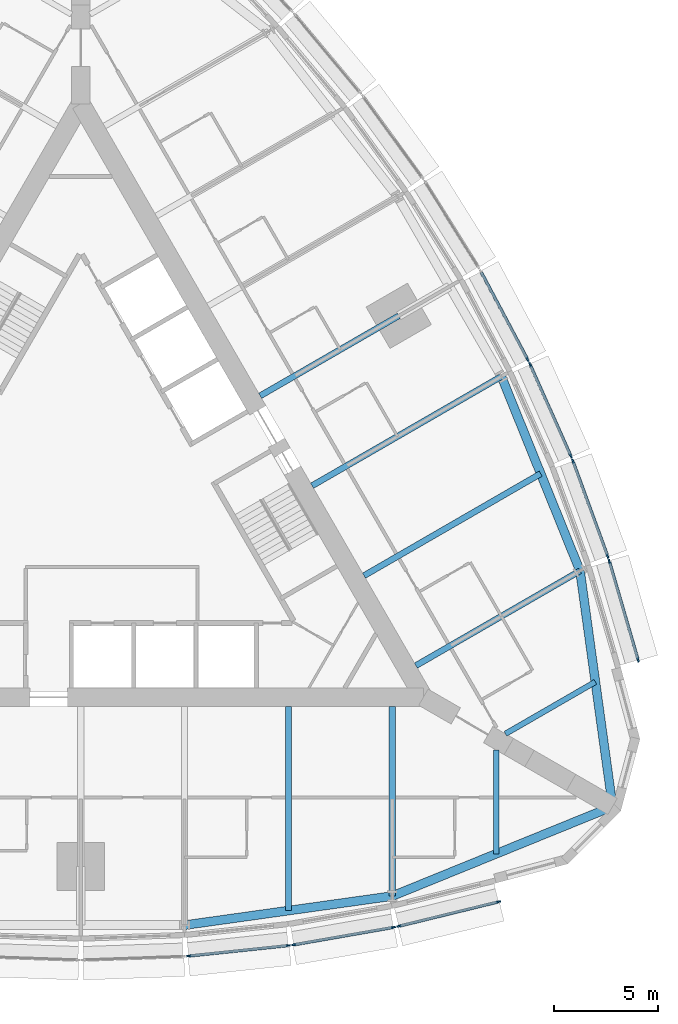
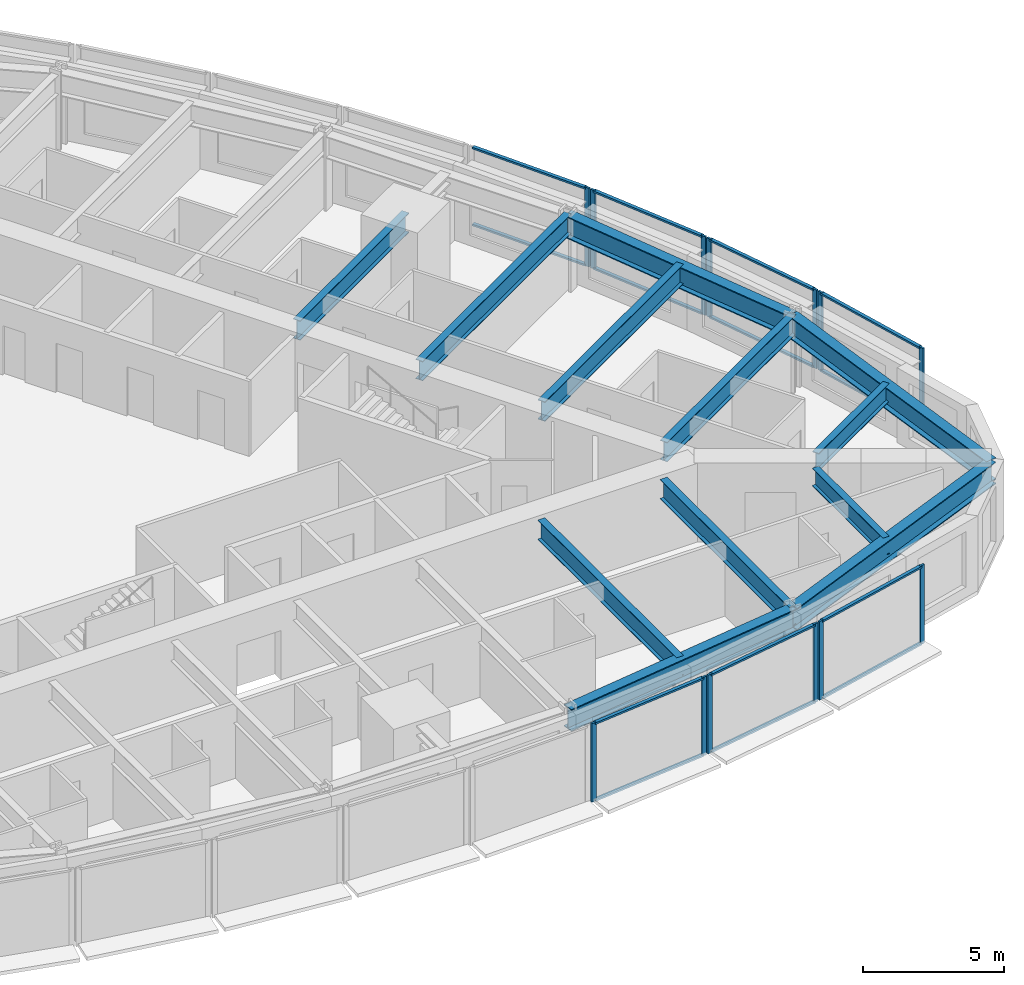
# One storey, part 3 of 14: 27 members, 12 beams, 7 elements without a shape of their own.
"""IFC4 building model written with IfcOpenShell, lengths in metres."""

from ifc_helpers import new_model, si_unit, direction, frame, origin, origin_2d, place, context, subcontext, project, spatial, rectangle, i_section, extrude, material, material_profile, profile_set, type_object, element, aggregate, save


model = new_model("IFC4")

# Units and contexts
model_context = context("Model", 3, precision=1e-05, world=origin(), true_north=direction((0.0, 1.0)))
body_context = subcontext(model_context, "Body", "Model", "MODEL_VIEW")
ifc_project = project(units=[si_unit("LENGTHUNIT", "METRE"), si_unit("AREAUNIT", "SQUARE_METRE"), si_unit("VOLUMEUNIT", "CUBIC_METRE"), si_unit("PLANEANGLEUNIT", "RADIAN"), si_unit("MASSUNIT", "GRAM", prefix="KILO")], contexts=[model_context])

# Site, building, storey
site_placement = place(None, origin())
site = spatial("IfcSite", under=ifc_project, at=site_placement, CompositionType="ELEMENT")
building_placement = place(site_placement, origin())
building = spatial("IfcBuilding", under=site, at=building_placement, Name="Trikona Tower", CompositionType="ELEMENT")
storey_placement = place(building_placement, frame((0.0, 0.0, 114.699951171875)))
storey = spatial("IfcBuildingStorey", under=building, at=storey_placement, Name="L29", CompositionType="ELEMENT", Elevation=114.699951171875)

# Curtain wall, members
ifc_material_1 = material(Name="Aluminium curtain wall system", Category="aluminium")
curtain_wall_type = type_object("IfcCurtainWallType", Name="Curtain wall DS2", PredefinedType="NOTDEFINED", material=ifc_material_1)
curtain_wall_1_placement = place(storey_placement, origin())
curtain_wall_1 = element("IfcCurtainWall", 1, at=curtain_wall_1_placement, inside=storey, type_object=curtain_wall_type, Name="Curtain wall DS2 L29", PredefinedType="NOTDEFINED")
ifc_material_2 = material(Name="Aluminium mullion, pale anodised", Category="aluminium")
ifc_material_profile_1 = material_profile(ifc_material_2, rectangle(XDim=0.080078125, YDim=0.199951171875, at=origin_2d()), Name="MUL-DS2")
ifc_profile_set_1 = profile_set([ifc_material_profile_1], Name="Aluminium mullion, pale anodised")
member_type_1 = type_object("IfcMemberType", Name="Mullion DS2 80x200", PredefinedType="MULLION", material=ifc_profile_set_1)
member_1_placement = place(storey_placement, frame((5.193359375, -21.98486328125, 0.0), z_axis=(0.0, 0.0, 1.0), x_axis=(-0.104433387357, 0.994531883654, 0.0)))
member_1 = element("IfcMember", 2, at=member_1_placement, type_object=member_type_1, Name="CW-DS2 mullion 1", PredefinedType="MULLION", context=body_context, shape_type="SweptSolid", body=[
    extrude(rectangle(XDim=0.080078125, YDim=0.199951171875, at=origin_2d()), origin(), (0.0, 0.0, 1.0), 3.400146484375),
])
member_2_placement = place(storey_placement, frame((9.99462890625, -21.480712890625, 0.0), z_axis=(0.0, 0.0, 1.0), x_axis=(-0.104433387357, 0.994531883654, 0.0)))
member_2 = element("IfcMember", 3, at=member_2_placement, type_object=member_type_1, Name="CW-DS2 mullion 2", PredefinedType="MULLION", context=body_context, shape_type="SweptSolid", body=[
    extrude(rectangle(XDim=0.080078125, YDim=0.199951171875, at=origin_2d()), origin(), (0.0, 0.0, 1.0), 3.400146484375),
])

curtain_wall_2_placement = place(storey_placement, origin())
curtain_wall_2 = element("IfcCurtainWall", 4, at=curtain_wall_2_placement, inside=storey, type_object=curtain_wall_type, Name="Curtain wall DS2 L29", PredefinedType="NOTDEFINED")
member_3_placement = place(storey_placement, frame((10.253662109375, -21.444580078125, 0.0), z_axis=(0.0, 0.0, 1.0), x_axis=(-0.17237739505, 0.985030981074, 0.0)))
member_3 = element("IfcMember", 5, at=member_3_placement, type_object=member_type_1, Name="CW-DS2 mullion 1", PredefinedType="MULLION", context=body_context, shape_type="SweptSolid", body=[
    extrude(rectangle(XDim=0.080078125, YDim=0.199951171875, at=origin_2d()), origin(), (0.0, 0.0, 1.0), 3.400146484375),
])
member_4_placement = place(storey_placement, frame((15.056640625, -20.60400390625, 0.0), z_axis=(0.0, 0.0, 1.0), x_axis=(-0.17237739505, 0.985030981074, 0.0)))
member_4 = element("IfcMember", 6, at=member_4_placement, type_object=member_type_1, Name="CW-DS2 mullion 2", PredefinedType="MULLION", context=body_context, shape_type="SweptSolid", body=[
    extrude(rectangle(XDim=0.080078125, YDim=0.199951171875, at=origin_2d()), origin(), (0.0, 0.0, 1.0), 3.400146484375),
])

curtain_wall_3_placement = place(storey_placement, origin())
curtain_wall_3 = element("IfcCurtainWall", 7, at=curtain_wall_3_placement, inside=storey, type_object=curtain_wall_type, Name="Curtain wall DS2 L29", PredefinedType="NOTDEFINED")
member_5_placement = place(storey_placement, frame((15.311279296875, -20.550537109375, 0.0), z_axis=(0.0, 0.0, 1.0), x_axis=(-0.237970204243, 0.971272455026, 0.0)))
member_5 = element("IfcMember", 8, at=member_5_placement, type_object=member_type_1, Name="CW-DS2 mullion 1", PredefinedType="MULLION", context=body_context, shape_type="SweptSolid", body=[
    extrude(rectangle(XDim=0.080078125, YDim=0.199951171875, at=origin_2d()), origin(), (0.0, 0.0, 1.0), 3.400146484375),
])
member_6_placement = place(storey_placement, frame((20.116943359375, -19.373046875, 0.0), z_axis=(0.0, 0.0, 1.0), x_axis=(-0.237970204243, 0.971272455026, 0.0)))
member_6 = element("IfcMember", 9, at=member_6_placement, type_object=member_type_1, Name="CW-DS2 mullion 2", PredefinedType="MULLION", context=body_context, shape_type="SweptSolid", body=[
    extrude(rectangle(XDim=0.080078125, YDim=0.199951171875, at=origin_2d()), origin(), (0.0, 0.0, 1.0), 3.400146484375),
])

curtain_wall_4_placement = place(storey_placement, origin())
curtain_wall_4 = element("IfcCurtainWall", 10, at=curtain_wall_4_placement, inside=storey, type_object=curtain_wall_type, Name="Curtain wall DS2 L29", PredefinedType="NOTDEFINED")
member_7_placement = place(storey_placement, frame((26.836181640625, -7.7353515625, 0.0), z_axis=(0.0, 0.0, 1.0), x_axis=(-0.96013310152, -0.279543247757, 0.0)))
member_7 = element("IfcMember", 11, at=member_7_placement, type_object=member_type_1, Name="CW-DS2 mullion 1", PredefinedType="MULLION", context=body_context, shape_type="SweptSolid", body=[
    extrude(rectangle(XDim=0.080078125, YDim=0.199951171875, at=origin_2d()), origin(), (0.0, 0.0, 1.0), 3.400146484375),
])
member_8_placement = place(storey_placement, frame((25.452880859375, -2.984619140625, 0.0), z_axis=(0.0, 0.0, 1.0), x_axis=(-0.96013310152, -0.279543247757, 0.0)))
member_8 = element("IfcMember", 12, at=member_8_placement, type_object=member_type_1, Name="CW-DS2 mullion 2", PredefinedType="MULLION", context=body_context, shape_type="SweptSolid", body=[
    extrude(rectangle(XDim=0.080078125, YDim=0.199951171875, at=origin_2d()), origin(), (0.0, 0.0, 1.0), 3.400146484375),
])

curtain_wall_5_placement = place(storey_placement, origin())
curtain_wall_5 = element("IfcCurtainWall", 13, at=curtain_wall_5_placement, inside=storey, type_object=curtain_wall_type, Name="Curtain wall DS2 L29", PredefinedType="NOTDEFINED")
member_9_placement = place(storey_placement, frame((25.371826171875, -2.737548828125, 0.0), z_axis=(0.0, 0.0, 1.0), x_axis=(-0.939253790978, -0.343223420143, 0.0)))
member_9 = element("IfcMember", 14, at=member_9_placement, type_object=member_type_1, Name="CW-DS2 mullion 1", PredefinedType="MULLION", context=body_context, shape_type="SweptSolid", body=[
    extrude(rectangle(XDim=0.080078125, YDim=0.199951171875, at=origin_2d()), origin(), (0.0, 0.0, 1.0), 3.400146484375),
])
member_10_placement = place(storey_placement, frame((23.6982421875, 1.84228515625, 0.0), z_axis=(0.0, 0.0, 1.0), x_axis=(-0.939253790978, -0.343223420143, 0.0)))
member_10 = element("IfcMember", 15, at=member_10_placement, type_object=member_type_1, Name="CW-DS2 mullion 2", PredefinedType="MULLION", context=body_context, shape_type="SweptSolid", body=[
    extrude(rectangle(XDim=0.080078125, YDim=0.199951171875, at=origin_2d()), origin(), (0.0, 0.0, 1.0), 3.400146484375),
])

curtain_wall_6_placement = place(storey_placement, origin())
curtain_wall_6 = element("IfcCurtainWall", 16, at=curtain_wall_6_placement, inside=storey, type_object=curtain_wall_type, Name="Curtain wall DS2 L29", PredefinedType="NOTDEFINED")
member_11_placement = place(storey_placement, frame((23.60009765625, 2.0849609375, 0.0), z_axis=(0.0, 0.0, 1.0), x_axis=(-0.913501208767, -0.406836013132, 0.0)))
member_11 = element("IfcMember", 17, at=member_11_placement, type_object=member_type_1, Name="CW-DS2 mullion 1", PredefinedType="MULLION", context=body_context, shape_type="SweptSolid", body=[
    extrude(rectangle(XDim=0.080078125, YDim=0.199951171875, at=origin_2d()), origin(), (0.0, 0.0, 1.0), 3.400146484375),
])
member_12_placement = place(storey_placement, frame((21.63623046875, 6.494873046875, 0.0), z_axis=(0.0, 0.0, 1.0), x_axis=(-0.913501208767, -0.406836013132, 0.0)))
member_12 = element("IfcMember", 18, at=member_12_placement, type_object=member_type_1, Name="CW-DS2 mullion 2", PredefinedType="MULLION", context=body_context, shape_type="SweptSolid", body=[
    extrude(rectangle(XDim=0.080078125, YDim=0.199951171875, at=origin_2d()), origin(), (0.0, 0.0, 1.0), 3.400146484375),
])

# Curtain wall, member
curtain_wall_7_placement = place(storey_placement, origin())
curtain_wall_7 = element("IfcCurtainWall", 19, at=curtain_wall_7_placement, inside=storey, type_object=curtain_wall_type, Name="Curtain wall DS2 L29", PredefinedType="NOTDEFINED")
member_13_placement = place(storey_placement, frame((21.52099609375, 6.730712890625, 0.0), z_axis=(0.0, 0.0, 1.0), x_axis=(-0.882996107343, -0.469380308937, 0.0)))
member_13 = element("IfcMember", 20, at=member_13_placement, type_object=member_type_1, Name="CW-DS2 mullion 1", PredefinedType="MULLION", context=body_context, shape_type="SweptSolid", body=[
    extrude(rectangle(XDim=0.080078125, YDim=0.199951171875, at=origin_2d()), origin(), (0.0, 0.0, 1.0), 3.400146484375),
])

# Beams
ifc_material_3 = material(Name="Steel ASTM A992 Grade 50", Category="steel")
ifc_material_profile_2 = material_profile(ifc_material_3, i_section(OverallWidth=0.2666015625, OverallDepth=0.76953125, WebThickness=0.015625, FlangeThickness=0.025390625, at=origin_2d()), Name="W30X132")
ifc_profile_set_2 = profile_set([ifc_material_profile_2], Name="Steel ASTM A992 Grade 50")
beam_type_1 = type_object("IfcBeamType", Name="Steel beam W30x132 (wedge)", PredefinedType="BEAM", material=ifc_profile_set_2)
beam_1_placement = place(storey_placement, frame((20.0, -12.066650390625, 2.850341796875), z_axis=(0.0, -1.0, 0.0), x_axis=(1.0, 0.0, 0.0)))
element("IfcBeam", 21, at=beam_1_placement, inside=storey, type_object=beam_type_1, Name="Floor beam L30 F1 u20", PredefinedType="BEAM", context=body_context, shape_type="SweptSolid", body=[
    extrude(i_section(OverallWidth=0.2666015625, OverallDepth=0.76953125, WebThickness=0.015625, FlangeThickness=0.025390625, at=origin_2d()), origin(), (0.0, 0.0, 1.0), 5.00048828125),
])
beam_2_placement = place(storey_placement, frame((20.449951171875, -11.287109375, 2.850341796875), z_axis=(0.866038434829, 0.49997742889, 0.0), x_axis=(-0.49997742889, 0.866038434829, 0.0)))
element("IfcBeam", 22, at=beam_2_placement, inside=storey, type_object=beam_type_1, Name="Floor beam L30 F2 u-20", PredefinedType="BEAM", context=body_context, shape_type="SweptSolid", body=[
    extrude(i_section(OverallWidth=0.2666015625, OverallDepth=0.76953125, WebThickness=0.015625, FlangeThickness=0.025390625, at=origin_2d()), origin(), (0.0, 0.0, 1.0), 5.000732421875),
])
ifc_material_4 = material(Name="Steel ASTM A992 Grade 50", Category="steel")
ifc_material_profile_3 = material_profile(ifc_material_4, i_section(OverallWidth=0.2919921875, OverallDepth=0.845703125, WebThickness=0.015380859375, FlangeThickness=0.0244140625, at=origin_2d()), Name="W33X141")
ifc_profile_set_3 = profile_set([ifc_material_profile_3], Name="Steel ASTM A992 Grade 50")
beam_type_2 = type_object("IfcBeamType", Name="Steel beam W33x141 (radial typ)", PredefinedType="BEAM", material=ifc_profile_set_3)
beam_3_placement = place(storey_placement, frame((10.0, -9.976318359375, 2.812255859375), z_axis=(0.0, -1.0, 0.0), x_axis=(1.0, 0.0, 0.0)))
element("IfcBeam", 23, at=beam_3_placement, inside=storey, type_object=beam_type_2, Name="Floor beam L30 F1 u10", PredefinedType="BEAM", context=body_context, shape_type="SweptSolid", body=[
    extrude(i_section(OverallWidth=0.2919921875, OverallDepth=0.845703125, WebThickness=0.015380859375, FlangeThickness=0.0244140625, at=origin_2d()), origin(), (0.0, 0.0, 1.0), 9.823974609375),
])
beam_4_placement = place(storey_placement, frame((15.0, -9.976318359375, 2.812255859375), z_axis=(0.0, -1.0, 0.0), x_axis=(1.0, 0.0, 0.0)))
element("IfcBeam", 24, at=beam_4_placement, inside=storey, type_object=beam_type_2, Name="Floor beam L30 F1 u15", PredefinedType="BEAM", context=body_context, shape_type="SweptSolid", body=[
    extrude(i_section(OverallWidth=0.2919921875, OverallDepth=0.845703125, WebThickness=0.015380859375, FlangeThickness=0.0244140625, at=origin_2d()), origin(), (0.0, 0.0, 1.0), 9.123779296875),
])
beam_5_placement = place(storey_placement, frame((16.1396484375, -8.002197265625, 2.812255859375), z_axis=(0.866024725532, 0.500001174766, 0.0), x_axis=(-0.500001174766, 0.866024725532, 0.0)))
element("IfcBeam", 25, at=beam_5_placement, inside=storey, type_object=beam_type_2, Name="Floor beam L30 F2 u-15", PredefinedType="BEAM", context=body_context, shape_type="SweptSolid", body=[
    extrude(i_section(OverallWidth=0.2919921875, OverallDepth=0.845703125, WebThickness=0.015380859375, FlangeThickness=0.0244140625, at=origin_2d()), origin(), (0.0, 0.0, 1.0), 9.1240234375),
])
beam_6_placement = place(storey_placement, frame((13.6396484375, -3.672119140625, 2.812255859375), z_axis=(0.866020046725, 0.500009278584, 0.0), x_axis=(-0.500009278584, 0.866020046725, 0.0)))
element("IfcBeam", 26, at=beam_6_placement, inside=storey, type_object=beam_type_2, Name="Floor beam L30 F2 u-10", PredefinedType="BEAM", context=body_context, shape_type="SweptSolid", body=[
    extrude(i_section(OverallWidth=0.2919921875, OverallDepth=0.845703125, WebThickness=0.015380859375, FlangeThickness=0.0244140625, at=origin_2d()), origin(), (0.0, 0.0, 1.0), 9.823974609375),
])
beam_7_placement = place(storey_placement, frame((11.1396484375, 0.657958984375, 2.812255859375), z_axis=(0.866026035623, 0.499998905622, 0.0), x_axis=(-0.499998905622, 0.866026035623, 0.0)))
element("IfcBeam", 27, at=beam_7_placement, inside=storey, type_object=beam_type_2, Name="Floor beam L30 F2 u-5", PredefinedType="BEAM", context=body_context, shape_type="SweptSolid", body=[
    extrude(i_section(OverallWidth=0.2919921875, OverallDepth=0.845703125, WebThickness=0.015380859375, FlangeThickness=0.0244140625, at=origin_2d()), origin(), (0.0, 0.0, 1.0), 10.52392578125),
])
beam_8_placement = place(storey_placement, frame((8.6396484375, 4.988037109375, 2.812255859375), z_axis=(0.866017246294, 0.500014128921, 0.0), x_axis=(-0.500014128921, 0.866017246294, 0.0)))
element("IfcBeam", 28, at=beam_8_placement, inside=storey, type_object=beam_type_2, Name="Floor beam L30 F2 u0", PredefinedType="BEAM", context=body_context, shape_type="SweptSolid", body=[
    extrude(i_section(OverallWidth=0.2919921875, OverallDepth=0.845703125, WebThickness=0.015380859375, FlangeThickness=0.0244140625, at=origin_2d()), origin(), (0.0, 0.0, 1.0), 7.704345703125),
])
ifc_material_5 = material(Name="Steel ASTM A992 Grade 50", Category="steel")
ifc_material_profile_4 = material_profile(ifc_material_5, i_section(OverallWidth=0.424072265625, OverallDepth=0.947509765625, WebThickness=0.02392578125, FlangeThickness=0.042724609375, at=origin_2d()), Name="W36X302")
ifc_profile_set_4 = profile_set([ifc_material_profile_4], Name="Steel ASTM A992 Grade 50")
beam_type_3 = type_object("IfcBeamType", Name="Steel beam W36x302 (spandrel)", PredefinedType="SPANDREL", material=ifc_profile_set_4)
beam_9_placement = place(storey_placement, frame((5.0, -20.500244140625, 2.76123046875), z_axis=(0.990339754644, 0.13866207258, 0.0), x_axis=(-0.13866207258, 0.990339754644, 0.0)))
element("IfcBeam", 29, at=beam_9_placement, inside=storey, type_object=beam_type_3, Name="Spandrel beam L30 F1-4", PredefinedType="SPANDREL", context=body_context, shape_type="SweptSolid", body=[
    extrude(i_section(OverallWidth=0.424072265625, OverallDepth=0.947509765625, WebThickness=0.02392578125, FlangeThickness=0.042724609375, at=origin_2d()), origin(), (0.0, 0.0, 1.0), 10.09765625),
])
for number, where, z_axis, x_axis, name in (
    (30, (15.0, -19.10009765625, 2.76123046875), (0.926359695662, 0.376640032728, 0.0), (-0.376640032728, 0.926359695662, 0.0), "Spandrel beam L30 F1-5"),
    (31, (25.6103515625, -14.7861328125, 2.76123046875), (-0.136991535842, 0.990572218017, 0.0), (-0.990572218017, -0.136991535842, 0.0), "Spandrel beam L30 F2-1"),
):
    element("IfcBeam", number, at=place(storey_placement, frame(where, z_axis=z_axis, x_axis=x_axis)), inside=storey, type_object=beam_type_3, Name=name, PredefinedType="SPANDREL", context=body_context, shape_type="SweptSolid", body=[
        extrude(i_section(OverallWidth=0.424072265625, OverallDepth=0.947509765625, WebThickness=0.02392578125, FlangeThickness=0.042724609375, at=origin_2d()), origin(), (0.0, 0.0, 1.0), 11.453857421875),
    ])
beam_10_placement = place(storey_placement, frame((24.041259765625, -3.440185546875, 2.76123046875), z_axis=(-0.375106193787, 0.926981846307, 0.0), x_axis=(-0.926981846307, -0.375106193787, 0.0)))
element("IfcBeam", 32, at=beam_10_placement, inside=storey, type_object=beam_type_3, Name="Spandrel beam L30 F2-2", PredefinedType="SPANDREL", context=body_context, shape_type="SweptSolid", body=[
    extrude(i_section(OverallWidth=0.424072265625, OverallDepth=0.947509765625, WebThickness=0.02392578125, FlangeThickness=0.042724609375, at=origin_2d()), origin(), (0.0, 0.0, 1.0), 10.097412109375),
])

# Member
ifc_material_6 = material(Name="Aluminium transom, pale anodised", Category="aluminium")
ifc_material_profile_5 = material_profile(ifc_material_6, rectangle(XDim=0.139892578125, YDim=0.080078125, at=origin_2d()), Name="TRN-DS2")
ifc_profile_set_5 = profile_set([ifc_material_profile_5], Name="Aluminium transom, pale anodised")
member_type_2 = type_object("IfcMemberType", Name="Transom DS2 80x140", PredefinedType="USERDEFINED", material=ifc_profile_set_5)
member_14_placement = place(storey_placement, frame((5.233154296875, -21.980712890625, 0.0400390625), z_axis=(0.99453106441, 0.104441188822, 0.0), x_axis=(-0.104441188822, 0.99453106441, 0.0)))
member_14 = element("IfcMember", 33, at=member_14_placement, type_object=member_type_2, Name="CW-DS2 transom 1.1", ObjectType="TRANSOM", PredefinedType="USERDEFINED", context=body_context, shape_type="SweptSolid", body=[
    extrude(rectangle(XDim=0.139892578125, YDim=0.080078125, at=origin_2d()), origin(), (0.0, 0.0, 1.0), 4.74755859375),
])

member_15_placement = place(storey_placement, frame((5.233154296875, -21.980712890625, 3.360107421875), z_axis=(0.99453106441, 0.104441188822, 0.0), x_axis=(-0.104441188822, 0.99453106441, 0.0)))
member_15 = element("IfcMember", 34, at=member_15_placement, type_object=member_type_2, Name="CW-DS2 transom 1.2", ObjectType="TRANSOM", PredefinedType="USERDEFINED", context=body_context, shape_type="SweptSolid", body=[
    extrude(rectangle(XDim=0.139892578125, YDim=0.080078125, at=origin_2d()), origin(), (0.0, 0.0, 1.0), 4.74755859375),
])

aggregate(curtain_wall_1, [member_1, member_2, member_14, member_15])

member_16_placement = place(storey_placement, frame((10.29296875, -21.4375, 0.0400390625), z_axis=(0.98503262804, 0.172367983387, 0.0), x_axis=(-0.172367983387, 0.98503262804, 0.0)))
member_16 = element("IfcMember", 35, at=member_16_placement, type_object=member_type_2, Name="CW-DS2 transom 1.1", ObjectType="TRANSOM", PredefinedType="USERDEFINED", context=body_context, shape_type="SweptSolid", body=[
    extrude(rectangle(XDim=0.139892578125, YDim=0.080078125, at=origin_2d()), origin(), (0.0, 0.0, 1.0), 4.7958984375),
])

member_17_placement = place(storey_placement, frame((10.29296875, -21.4375, 3.360107421875), z_axis=(0.98503262804, 0.172367983387, 0.0), x_axis=(-0.172367983387, 0.98503262804, 0.0)))
member_17 = element("IfcMember", 36, at=member_17_placement, type_object=member_type_2, Name="CW-DS2 transom 1.2", ObjectType="TRANSOM", PredefinedType="USERDEFINED", context=body_context, shape_type="SweptSolid", body=[
    extrude(rectangle(XDim=0.139892578125, YDim=0.080078125, at=origin_2d()), origin(), (0.0, 0.0, 1.0), 4.7958984375),
])

aggregate(curtain_wall_2, [member_3, member_4, member_16, member_17])

member_18_placement = place(storey_placement, frame((15.35009765625, -20.541015625, 0.0400390625), z_axis=(0.971270583303, 0.237977843528, 0.0), x_axis=(-0.237977843528, 0.971270583303, 0.0)))
member_18 = element("IfcMember", 37, at=member_18_placement, type_object=member_type_2, Name="CW-DS2 transom 1.1", ObjectType="TRANSOM", PredefinedType="USERDEFINED", context=body_context, shape_type="SweptSolid", body=[
    extrude(rectangle(XDim=0.139892578125, YDim=0.080078125, at=origin_2d()), origin(), (0.0, 0.0, 1.0), 4.867919921875),
])

member_19_placement = place(storey_placement, frame((15.35009765625, -20.541015625, 3.360107421875), z_axis=(0.971270583303, 0.237977843528, 0.0), x_axis=(-0.237977843528, 0.971270583303, 0.0)))
member_19 = element("IfcMember", 38, at=member_19_placement, type_object=member_type_2, Name="CW-DS2 transom 1.2", ObjectType="TRANSOM", PredefinedType="USERDEFINED", context=body_context, shape_type="SweptSolid", body=[
    extrude(rectangle(XDim=0.139892578125, YDim=0.080078125, at=origin_2d()), origin(), (0.0, 0.0, 1.0), 4.867919921875),
])

aggregate(curtain_wall_3, [member_5, member_6, member_18, member_19])

member_20_placement = place(storey_placement, frame((26.824951171875, -7.69677734375, 0.0400390625), z_axis=(-0.279566628153, 0.960126293996, 0.0), x_axis=(-0.960126293996, -0.279566628153, 0.0)))
member_20 = element("IfcMember", 39, at=member_20_placement, type_object=member_type_2, Name="CW-DS2 transom 1.1", ObjectType="TRANSOM", PredefinedType="USERDEFINED", context=body_context, shape_type="SweptSolid", body=[
    extrude(rectangle(XDim=0.139892578125, YDim=0.080078125, at=origin_2d()), origin(), (0.0, 0.0, 1.0), 4.86767578125),
])

member_21_placement = place(storey_placement, frame((26.824951171875, -7.69677734375, 3.360107421875), z_axis=(-0.279566628153, 0.960126293996, 0.0), x_axis=(-0.960126293996, -0.279566628153, 0.0)))
member_21 = element("IfcMember", 40, at=member_21_placement, type_object=member_type_2, Name="CW-DS2 transom 1.2", ObjectType="TRANSOM", PredefinedType="USERDEFINED", context=body_context, shape_type="SweptSolid", body=[
    extrude(rectangle(XDim=0.139892578125, YDim=0.080078125, at=origin_2d()), origin(), (0.0, 0.0, 1.0), 4.86767578125),
])

aggregate(curtain_wall_4, [member_7, member_8, member_20, member_21])

member_22_placement = place(storey_placement, frame((25.358154296875, -2.699951171875, 0.0400390625), z_axis=(-0.343205907674, 0.939260190223, 0.0), x_axis=(-0.939260190223, -0.343205907674, 0.0)))
member_22 = element("IfcMember", 41, at=member_22_placement, type_object=member_type_2, Name="CW-DS2 transom 1.1", ObjectType="TRANSOM", PredefinedType="USERDEFINED", context=body_context, shape_type="SweptSolid", body=[
    extrude(rectangle(XDim=0.139892578125, YDim=0.080078125, at=origin_2d()), origin(), (0.0, 0.0, 1.0), 4.7958984375),
])

member_23_placement = place(storey_placement, frame((25.358154296875, -2.699951171875, 3.360107421875), z_axis=(-0.343205907674, 0.939260190223, 0.0), x_axis=(-0.939260190223, -0.343205907674, 0.0)))
member_23 = element("IfcMember", 42, at=member_23_placement, type_object=member_type_2, Name="CW-DS2 transom 1.2", ObjectType="TRANSOM", PredefinedType="USERDEFINED", context=body_context, shape_type="SweptSolid", body=[
    extrude(rectangle(XDim=0.139892578125, YDim=0.080078125, at=origin_2d()), origin(), (0.0, 0.0, 1.0), 4.7958984375),
])

aggregate(curtain_wall_5, [member_9, member_10, member_22, member_23])

member_24_placement = place(storey_placement, frame((23.583740234375, 2.12158203125, 0.0400390625), z_axis=(-0.406839769607, 0.913499535778, 0.0), x_axis=(-0.913499535778, -0.406839769607, 0.0)))
member_24 = element("IfcMember", 43, at=member_24_placement, type_object=member_type_2, Name="CW-DS2 transom 1.1", ObjectType="TRANSOM", PredefinedType="USERDEFINED", context=body_context, shape_type="SweptSolid", body=[
    extrude(rectangle(XDim=0.139892578125, YDim=0.080078125, at=origin_2d()), origin(), (0.0, 0.0, 1.0), 4.747314453125),
])

member_25_placement = place(storey_placement, frame((23.583740234375, 2.12158203125, 3.360107421875), z_axis=(-0.406839769607, 0.913499535778, 0.0), x_axis=(-0.913499535778, -0.406839769607, 0.0)))
member_25 = element("IfcMember", 44, at=member_25_placement, type_object=member_type_2, Name="CW-DS2 transom 1.2", ObjectType="TRANSOM", PredefinedType="USERDEFINED", context=body_context, shape_type="SweptSolid", body=[
    extrude(rectangle(XDim=0.139892578125, YDim=0.080078125, at=origin_2d()), origin(), (0.0, 0.0, 1.0), 4.747314453125),
])

aggregate(curtain_wall_6, [member_11, member_12, member_24, member_25])

member_26_placement = place(storey_placement, frame((21.502197265625, 6.76611328125, 0.0400390625), z_axis=(-0.469364343408, 0.883004594063, 0.0), x_axis=(-0.883004594063, -0.469364343408, 0.0)))
member_26 = element("IfcMember", 45, at=member_26_placement, type_object=member_type_2, Name="CW-DS2 transom 1.1", ObjectType="TRANSOM", PredefinedType="USERDEFINED", context=body_context, shape_type="SweptSolid", body=[
    extrude(rectangle(XDim=0.139892578125, YDim=0.080078125, at=origin_2d()), origin(), (0.0, 0.0, 1.0), 4.722900390625),
])

member_27_placement = place(storey_placement, frame((21.502197265625, 6.76611328125, 3.360107421875), z_axis=(-0.469364343408, 0.883004594063, 0.0), x_axis=(-0.883004594063, -0.469364343408, 0.0)))
member_27 = element("IfcMember", 46, at=member_27_placement, type_object=member_type_2, Name="CW-DS2 transom 1.2", ObjectType="TRANSOM", PredefinedType="USERDEFINED", context=body_context, shape_type="SweptSolid", body=[
    extrude(rectangle(XDim=0.139892578125, YDim=0.080078125, at=origin_2d()), origin(), (0.0, 0.0, 1.0), 4.722900390625),
])

aggregate(curtain_wall_7, [member_13, member_26, member_27])

save(model, "model.ifc")
